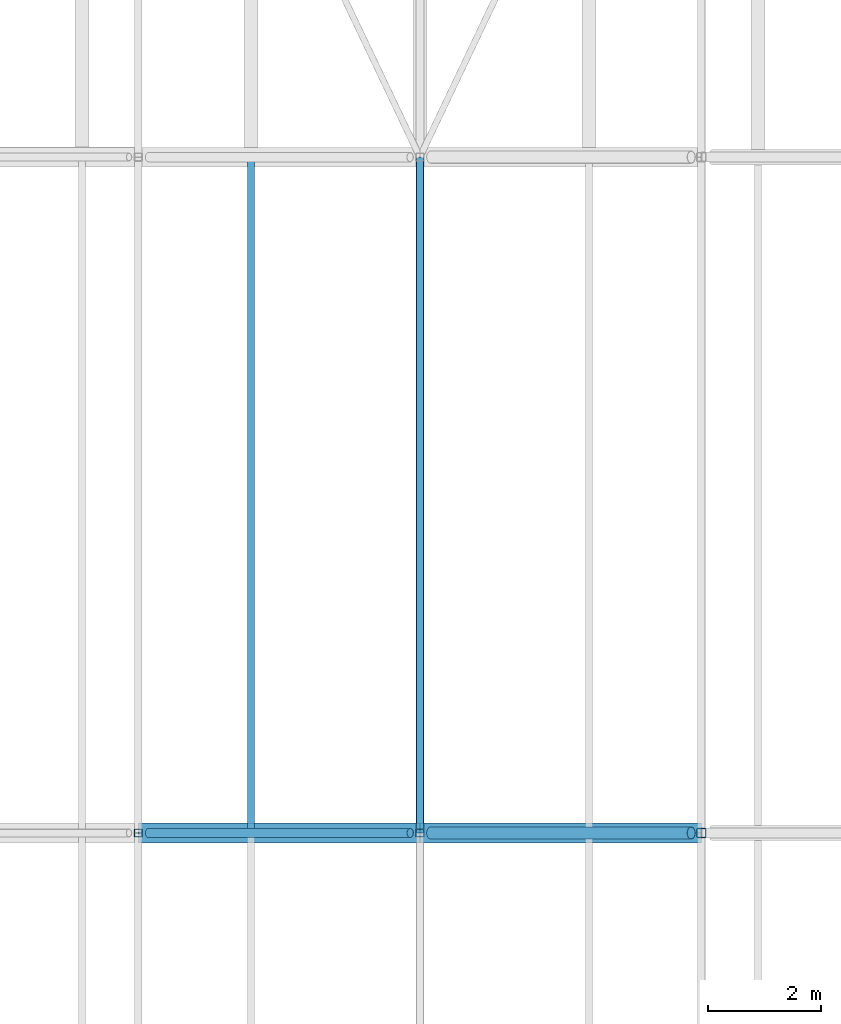
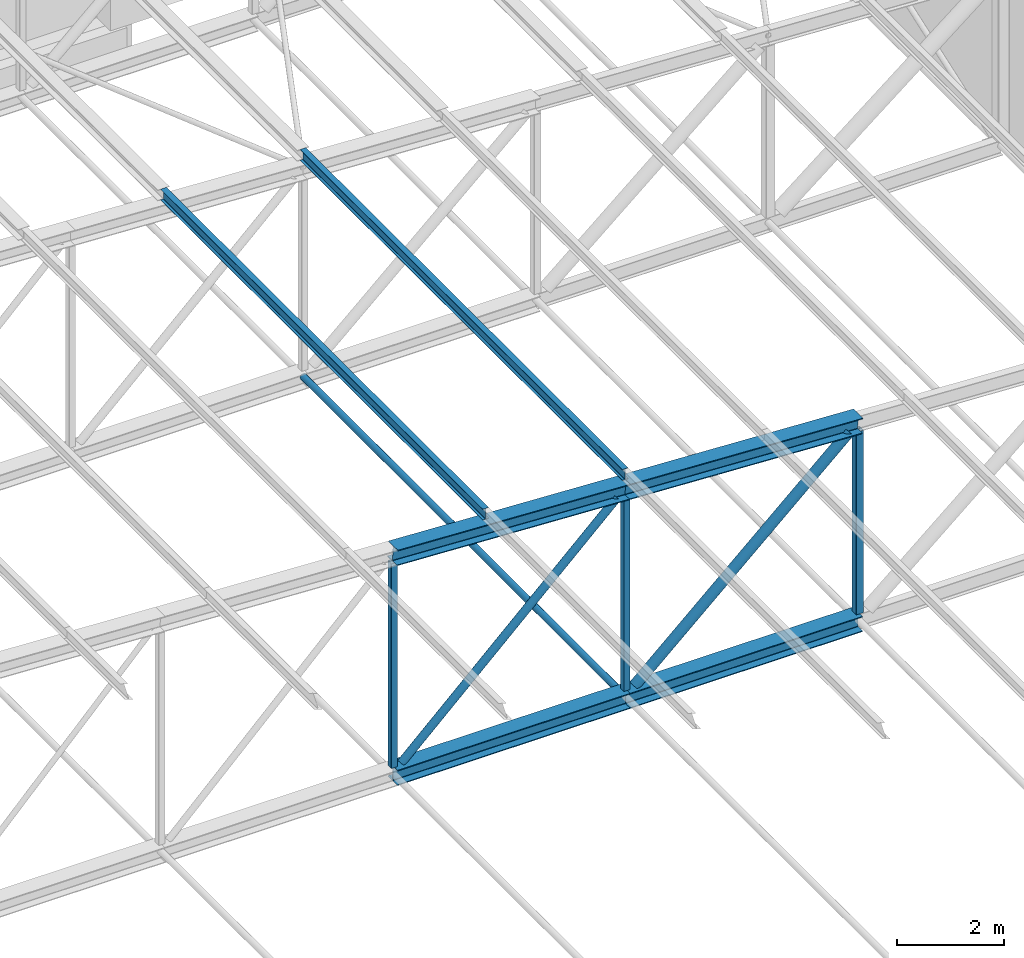
# One storey, part 123 of 156: 12 members.
"""IFC4 building model written with IfcOpenShell, lengths in metres."""

import ifcopenshell
import ifcopenshell.guid

model = None  # the IFC model being written
_history = None  # IfcOwnerHistory: only IFC2X3 demands one
_inside = {}  # id of a spatial element -> (the spatial element, [elements in it])
_under = {}  # id of a project, library or spatial element -> (it, [spatial elements below it])
_declared = {}  # id of a project -> (the project, [libraries it declares])
_typed = {}  # id of a type object -> (the type object, [elements of that type])
_made_of = {}  # id of a material, layer set ... -> (it, [elements and type objects made of it])


def new_model(schema):
    """Start an empty IFC model of exactly this schema.

    Asked for "IFC4X3", IfcOpenShell would pick the latest addendum, in which some entities
    have other attributes; the version numbers below select the first issue.
    IFC2X3 requires an IfcOwnerHistory on every rooted entity: one is made here for all.
    """
    global model, _history
    if schema == "IFC4X3":
        model = ifcopenshell.file(schema_version=(4, 3, 0, 0))
    else:
        model = ifcopenshell.file(schema=schema)
    _inside.clear()
    _under.clear()
    _declared.clear()
    _typed.clear()
    _made_of.clear()
    _history = None
    if model.schema == "IFC2X3":
        org = make("IfcOrganization", Name="unknown")
        user = make(
            "IfcPersonAndOrganization",
            ThePerson=make("IfcPerson", FamilyName="unknown"),
            TheOrganization=org,
        )
        app = make(
            "IfcApplication",
            ApplicationDeveloper=org,
            Version="unknown",
            ApplicationFullName="unknown",
            ApplicationIdentifier="unknown",
        )
        _history = make(
            "IfcOwnerHistory",
            OwningUser=user,
            OwningApplication=app,
            ChangeAction="ADDED",
            CreationDate=0,
        )
    return model


def make(cls, **values):
    """One entity of the class cls with the attributes given. An attribute that is None is left unset."""
    return model.create_entity(
        cls, **{name: value for name, value in values.items() if value is not None}
    )


def rooted(cls, **values):
    """An entity with a GlobalId (a new one), such as an element, a storey or a relation."""
    return make(cls, GlobalId=ifcopenshell.guid.new(), OwnerHistory=_history, **values)


def si_unit(unit_type, name, prefix=None):
    """IfcSIUnit, for example si_unit("LENGTHUNIT", "METRE", prefix="MILLI")."""
    return make("IfcSIUnit", UnitType=unit_type, Prefix=prefix, Name=name)


def assignment(units):
    """IfcUnitAssignment: the units of a project."""
    return None if units is None else make("IfcUnitAssignment", Units=units)


def point(xyz):
    """IfcCartesianPoint."""
    return None if xyz is None else make("IfcCartesianPoint", Coordinates=xyz)


def direction(xyz):
    """IfcDirection."""
    return None if xyz is None else make("IfcDirection", DirectionRatios=xyz)


def frame(location, z_axis=None, x_axis=None):
    """IfcAxis2Placement3D, a coordinate frame: its origin and axes. An axis left out is left unset."""
    return make(
        "IfcAxis2Placement3D",
        Location=point(location),
        Axis=direction(z_axis),
        RefDirection=direction(x_axis),
    )


def frame_2d(location, x_axis=None):
    """IfcAxis2Placement2D, a coordinate frame in the plane: its origin and x axis."""
    return make(
        "IfcAxis2Placement2D", Location=point(location), RefDirection=direction(x_axis)
    )


def origin():
    """The frame at (0, 0, 0) with its axes left unset."""
    return frame((0.0, 0.0, 0.0))


def origin_2d():
    """The frame at (0, 0) in the plane with its x axis left unset."""
    return frame_2d((0.0, 0.0))


def place(relative_to, where):
    """IfcLocalPlacement: puts the frame where relative to a parent placement (None: the world)."""
    return make(
        "IfcLocalPlacement", PlacementRelTo=relative_to, RelativePlacement=where
    )


def context(
    kind, dimensions, precision=None, world=None, true_north=None, identifier=None
):
    """IfcGeometricRepresentationContext, for example the 3D "Model" context."""
    return make(
        "IfcGeometricRepresentationContext",
        ContextIdentifier=identifier,
        ContextType=kind,
        CoordinateSpaceDimension=dimensions,
        Precision=precision,
        WorldCoordinateSystem=world,
        TrueNorth=true_north,
    )


def subcontext(parent, identifier, kind, view, scale=None):
    """IfcGeometricRepresentationSubContext, for example "Body" below "Model"."""
    return make(
        "IfcGeometricRepresentationSubContext",
        ContextIdentifier=identifier,
        ContextType=kind,
        ParentContext=parent,
        TargetScale=scale,
        TargetView=view,
    )


def project(units=None, contexts=None):
    """IfcProject with its units and contexts."""
    return rooted(
        "IfcProject",
        Name="project",
        RepresentationContexts=contexts,
        UnitsInContext=assignment(units),
    )


def spatial(cls, under=None, at=None, **own):
    """A site, building, storey or space (cls), placed at a placement, below another one or the project."""
    s = rooted(cls, ObjectPlacement=at, **own)
    if under is not None:
        _under.setdefault(under.id(), (under, []))[1].append(s)
    return s


def profile(cls, at=None, kind="AREA", **sizes):
    """A parametric profile (cls). Its sizes go by their IFC names, for example OverallWidth=200.0."""
    return make(cls, ProfileType=kind, Position=at, **sizes)


def hollow_rectangle(**sizes):
    """IfcRectangleHollowProfileDef."""
    return profile("IfcRectangleHollowProfileDef", **sizes)


def hollow_circle(**sizes):
    """IfcCircleHollowProfileDef."""
    return profile("IfcCircleHollowProfileDef", **sizes)


def i_section(**sizes):
    """IfcIShapeProfileDef."""
    return profile("IfcIShapeProfileDef", **sizes)


def extrude(swept, where, along, depth):
    """IfcExtrudedAreaSolid: the profile swept, set in the frame where, extruded along a direction by depth."""
    return make(
        "IfcExtrudedAreaSolid",
        SweptArea=swept,
        Position=where,
        ExtrudedDirection=direction(along),
        Depth=depth,
    )


def shape(context_of_items, identifier, shape_type, items):
    """IfcShapeRepresentation: the items that make up one representation, for example the "Body"."""
    return make(
        "IfcShapeRepresentation",
        ContextOfItems=context_of_items,
        RepresentationIdentifier=identifier,
        RepresentationType=shape_type,
        Items=items,
    )


def material(Name=None, Category=None):
    """IfcMaterial."""
    return make("IfcMaterial", Name=Name, Category=Category)


def material_profile(
    of_material, cross_section, Name=None, Category=None, Priority=None
):
    """IfcMaterialProfile: a cross section and its material."""
    return make(
        "IfcMaterialProfile",
        Name=Name,
        Material=of_material,
        Profile=cross_section,
        Priority=Priority,
        Category=Category,
    )


def profile_set(profiles, Name=None, composite=None):
    """IfcMaterialProfileSet."""
    return make(
        "IfcMaterialProfileSet",
        Name=Name,
        MaterialProfiles=profiles,
        CompositeProfile=composite,
    )


def made_of(thing, what):
    """Note that an element or type object is made of a material, layer set ...; save() writes the relation."""
    if what is not None:
        _made_of.setdefault(what.id(), (what, []))[1].append(thing)
    return thing


def type_object(cls, material=None, **own):
    """A type object (cls), such as IfcWallType, which elements share."""
    return made_of(rooted(cls, **own), material)


def element(
    cls,
    number,
    at=None,
    inside=None,
    cuts=None,
    type_object=None,
    material=None,
    context=None,
    identifier="Body",
    shape_type=None,
    held_by="IfcProductDefinitionShape",
    body=None,
    shapes=None,
    **own,
):
    """One element of the class cls, such as IfcWall. Its Tag is "e" and its number.

    at: its placement. inside: the storey or other place that contains it. cuts: it is an
    opening in that element (IfcRelVoidsElement). A single representation is given by context,
    identifier, shape_type and body (its items); several are given by shapes. held_by: the class
    of the entity that holds the representations. save() writes the other relations.
    """
    e = rooted(cls, Tag="e%d" % number, ObjectPlacement=at, **own)
    if body is not None:
        shapes = [shape(context, identifier, shape_type, body)]
    if shapes is not None:
        e.Representation = make(held_by, Representations=shapes)
    if inside is not None:
        _inside.setdefault(inside.id(), (inside, []))[1].append(e)
    if cuts is not None:
        rooted(
            "IfcRelVoidsElement", RelatingBuildingElement=cuts, RelatedOpeningElement=e
        )
    if type_object is not None:
        _typed.setdefault(type_object.id(), (type_object, []))[1].append(e)
    return made_of(e, material)


def aggregate(whole, parts):
    """IfcRelAggregates: a whole, such as a stair, and the parts it consists of."""
    return rooted("IfcRelAggregates", RelatingObject=whole, RelatedObjects=parts)


def save(model, path):
    """Write the relations noted so far, then the file.

    IfcRelAggregates (storeys below a building ...), IfcRelContainedInSpatialStructure (elements
    in a storey), IfcRelDefinesByType, IfcRelAssociatesMaterial and IfcRelDeclares: one each for
    every whole, place, type object, material and project.
    """
    for whole, parts in _under.values():
        aggregate(whole, parts)
    for where, things in _inside.values():
        rooted(
            "IfcRelContainedInSpatialStructure",
            RelatedElements=things,
            RelatingStructure=where,
        )
    for kind, things in _typed.values():
        rooted("IfcRelDefinesByType", RelatedObjects=things, RelatingType=kind)
    for what, things in _made_of.values():
        rooted("IfcRelAssociatesMaterial", RelatedObjects=things, RelatingMaterial=what)
    for by, libraries in _declared.values():
        rooted("IfcRelDeclares", RelatingContext=by, RelatedDefinitions=libraries)
    model.write(path)


model = new_model("IFC4")

# Units and contexts
model_context = context("Model", 3, precision=1e-05, world=origin(), true_north=direction((0.0, 1.0)))
body_context = subcontext(model_context, "Body", "Model", "MODEL_VIEW")
ifc_project = project(units=[si_unit("LENGTHUNIT", "METRE"), si_unit("AREAUNIT", "SQUARE_METRE"), si_unit("VOLUMEUNIT", "CUBIC_METRE"), si_unit("PLANEANGLEUNIT", "RADIAN"), si_unit("MASSUNIT", "GRAM", prefix="KILO")], contexts=[model_context])

# Site, building, storey
site_placement = place(None, origin())
site = spatial("IfcSite", under=ifc_project, at=site_placement, CompositionType="ELEMENT")
building_placement = place(site_placement, origin())
building = spatial("IfcBuilding", under=site, at=building_placement, Name="Lilac Gate Convention Centre", CompositionType="ELEMENT")
storey_placement = place(building_placement, frame((0.0, 0.0, 17.0)))
storey = spatial("IfcBuildingStorey", under=building, at=storey_placement, Name="L03", CompositionType="ELEMENT", Elevation=17.0)

# Members
ifc_material = material(Name="Steel Q355B", Category="steel")
ifc_material_profile_1 = material_profile(ifc_material, hollow_circle(Radius=0.06982421875, WallThickness=0.0048828125, at=origin_2d()), Name="CHS139.7x5")
ifc_profile_set_1 = profile_set([ifc_material_profile_1], Name="Steel Q355B")
member_type_1 = type_object("IfcMemberType", Name="Bottom chord tie CHS139.7x5", PredefinedType="STRUT", material=ifc_profile_set_1)
member_1_placement = place(storey_placement, frame((75.0, 198.006103515625, 0.0), z_axis=(0.0, 1.0, 0.0), x_axis=(-1.0, 0.0, 0.0)))
element("IfcMember", 1, at=member_1_placement, inside=storey, type_object=member_type_1, Name="ST1 tie bay 15 node 10", PredefinedType="STRUT", context=body_context, shape_type="SweptSolid", body=[
    extrude(hollow_circle(Radius=0.06982421875, WallThickness=0.0048828125, at=origin_2d()), origin(), (0.0, 0.0, 1.0), 11.98779296875),
])
ifc_material_profile_2 = material_profile(ifc_material, i_section(OverallWidth=0.125, OverallDepth=0.25, WebThickness=0.006103515625, FlangeThickness=0.009033203125, FilletRadius=0.008056640625, at=origin_2d()), Name="HN250x125x6x9")
ifc_profile_set_2 = profile_set([ifc_material_profile_2], Name="Steel Q355B")
member_type_2 = type_object("IfcMemberType", Name="Roof purlin HN250x125x6x9", PredefinedType="PURLIN", material=ifc_profile_set_2)
for number, where, z_axis, x_axis, name in (
    (2, (72.0, 198.0, 5.2001953125), (0.0, 1.0, 0.0), (-1.0, 0.0, 0.0), "PU2 purlin bay 15 line 15"),
    (3, (75.0, 198.0, 5.05029296875), (0.0, 1.0, 0.0), (-1.0, 0.0, 0.0), "PU2 purlin bay 15 line 16"),
):
    element("IfcMember", number, at=place(storey_placement, frame(where, z_axis=z_axis, x_axis=x_axis)), inside=storey, type_object=member_type_2, Name=name, PredefinedType="PURLIN", context=body_context, shape_type="SweptSolid", body=[
        extrude(i_section(OverallWidth=0.125, OverallDepth=0.25, WebThickness=0.006103515625, FlangeThickness=0.009033203125, FilletRadius=0.008056640625, at=origin_2d()), origin(), (0.0, 0.0, 1.0), 12.0),
    ])
ifc_material_profile_3 = material_profile(ifc_material, i_section(OverallWidth=0.35009765625, OverallDepth=0.35009765625, WebThickness=0.011962890625, FlangeThickness=0.01904296875, FilletRadius=0.012939453125, at=origin_2d()), Name="HW350x350x12x19")
ifc_profile_set_3 = profile_set([ifc_material_profile_3], Name="Steel Q355B")
member_type_3 = type_object("IfcMemberType", Name="Truss bottom chord HW350x350x12x19", PredefinedType="CHORD", material=ifc_profile_set_3)
for number, where, z_axis, x_axis, name in (
    (4, (70.0, 198.0, 0.0), (1.0, 0.0, 0.0), (0.0, 1.0, 0.0), "TB2 truss 15 bottom chord 9"),
    (5, (75.0, 198.0, 0.0), (1.0, 0.0, 0.0), (0.0, 1.0, 0.0), "TB2 truss 15 bottom chord 10"),
):
    element("IfcMember", number, at=place(storey_placement, frame(where, z_axis=z_axis, x_axis=x_axis)), inside=storey, type_object=member_type_3, Name=name, PredefinedType="CHORD", context=body_context, shape_type="SweptSolid", body=[
        extrude(i_section(OverallWidth=0.35009765625, OverallDepth=0.35009765625, WebThickness=0.011962890625, FlangeThickness=0.01904296875, FilletRadius=0.012939453125, at=origin_2d()), origin(), (0.0, 0.0, 1.0), 5.0),
    ])
ifc_material_profile_4 = material_profile(ifc_material, hollow_circle(Radius=0.084228515625, WallThickness=0.006103515625, at=origin_2d()), Name="CHS168.3x6")
ifc_profile_set_4 = profile_set([ifc_material_profile_4], Name="Steel Q355B")
member_type_4 = type_object("IfcMemberType", Name="Truss diagonal CHS168.3x6", PredefinedType="BRACE", material=ifc_profile_set_4)
member_2_placement = place(storey_placement, frame((74.8271484375, 198.0, 4.585693359375), z_axis=(-0.725020373275, 0.0, -0.688727419475), x_axis=(0.0, -1.0, 0.0)))
element("IfcMember", 6, at=member_2_placement, inside=storey, type_object=member_type_4, Name="TW4 truss 15 diagonal 9", PredefinedType="BRACE", context=body_context, shape_type="SweptSolid", body=[
    extrude(hollow_circle(Radius=0.084228515625, WallThickness=0.006103515625, at=origin_2d()), origin(), (0.0, 0.0, 1.0), 6.404052734375),
])
ifc_material_profile_5 = material_profile(ifc_material, hollow_circle(Radius=0.109619140625, WallThickness=0.008056640625, at=origin_2d()), Name="CHS219.1x8")
ifc_profile_set_5 = profile_set([ifc_material_profile_5], Name="Steel Q355B")
member_type_5 = type_object("IfcMemberType", Name="Truss diagonal CHS219.1x8", PredefinedType="BRACE", material=ifc_profile_set_5)
member_3_placement = place(storey_placement, frame((79.8173828125, 198.0, 4.335693359375), z_axis=(-0.743301953498, 0.0, -0.668956056797), x_axis=(0.0, -1.0, 0.0)))
element("IfcMember", 7, at=member_3_placement, inside=storey, type_object=member_type_5, Name="TW3 truss 15 diagonal 10", PredefinedType="BRACE", context=body_context, shape_type="SweptSolid", body=[
    extrude(hollow_circle(Radius=0.109619140625, WallThickness=0.008056640625, at=origin_2d()), origin(), (0.0, 0.0, 1.0), 6.2197265625),
])
ifc_material_profile_6 = material_profile(ifc_material, i_section(OverallWidth=0.35009765625, OverallDepth=0.35009765625, WebThickness=0.011962890625, FlangeThickness=0.01904296875, FilletRadius=0.012939453125, at=origin_2d()), Name="HW350x350x12x19")
ifc_profile_set_6 = profile_set([ifc_material_profile_6], Name="Steel Q355B")
member_type_6 = type_object("IfcMemberType", Name="Truss top chord HW350x350x12x19", PredefinedType="CHORD", material=ifc_profile_set_6)
for number, where, z_axis, x_axis, name in (
    (8, (70.0, 198.0, 5.0), (0.998752338878, 0.0, -0.049937616944), (0.0, 1.0, 0.0), "TT2 truss 15 top chord 9"),
    (9, (75.0, 198.0, 4.75), (0.998752338878, 0.0, -0.049937616944), (0.0, 1.0, 0.0), "TT2 truss 15 top chord 10"),
):
    element("IfcMember", number, at=place(storey_placement, frame(where, z_axis=z_axis, x_axis=x_axis)), inside=storey, type_object=member_type_6, Name=name, PredefinedType="CHORD", context=body_context, shape_type="SweptSolid", body=[
        extrude(i_section(OverallWidth=0.35009765625, OverallDepth=0.35009765625, WebThickness=0.011962890625, FlangeThickness=0.01904296875, FilletRadius=0.012939453125, at=origin_2d()), origin(), (0.0, 0.0, 1.0), 5.00634765625),
    ])
ifc_material_profile_7 = material_profile(ifc_material, hollow_rectangle(XDim=0.139892578125, YDim=0.139892578125, WallThickness=0.0048828125, InnerFilletRadius=0.0048828125, OuterFilletRadius=0.010009765625, at=origin_2d()), Name="SHS140x140x5")
ifc_profile_set_7 = profile_set([ifc_material_profile_7], Name="Steel Q355B")
member_type_7 = type_object("IfcMemberType", Name="Truss vertical SHS140x140x5", PredefinedType="STRUT", material=ifc_profile_set_7)
member_4_placement = place(storey_placement, frame((70.0, 198.0, 0.175048828125), z_axis=(0.0, 0.0, 1.0), x_axis=(1.0, 0.0, 0.0)))
element("IfcMember", 10, at=member_4_placement, inside=storey, type_object=member_type_7, Name="TV4 truss 15 vertical 9", PredefinedType="STRUT", context=body_context, shape_type="SweptSolid", body=[
    extrude(hollow_rectangle(XDim=0.139892578125, YDim=0.139892578125, WallThickness=0.0048828125, InnerFilletRadius=0.0048828125, OuterFilletRadius=0.010009765625, at=origin_2d()), origin(), (0.0, 0.0, 1.0), 4.649658203125),
])
member_5_placement = place(storey_placement, frame((75.0, 198.0, 0.175048828125), z_axis=(0.0, 0.0, 1.0), x_axis=(1.0, 0.0, 0.0)))
element("IfcMember", 11, at=member_5_placement, inside=storey, type_object=member_type_7, Name="TV4 truss 15 vertical 10", PredefinedType="STRUT", context=body_context, shape_type="SweptSolid", body=[
    extrude(hollow_rectangle(XDim=0.139892578125, YDim=0.139892578125, WallThickness=0.0048828125, InnerFilletRadius=0.0048828125, OuterFilletRadius=0.010009765625, at=origin_2d()), origin(), (0.0, 0.0, 1.0), 4.399658203125),
])
ifc_material_profile_8 = material_profile(ifc_material, hollow_rectangle(XDim=0.159912109375, YDim=0.159912109375, WallThickness=0.006103515625, InnerFilletRadius=0.006103515625, OuterFilletRadius=0.011962890625, at=origin_2d()), Name="SHS160x160x6")
ifc_profile_set_8 = profile_set([ifc_material_profile_8], Name="Steel Q355B")
member_type_8 = type_object("IfcMemberType", Name="Truss vertical SHS160x160x6", PredefinedType="STRUT", material=ifc_profile_set_8)
member_6_placement = place(storey_placement, frame((80.0, 198.0, 0.175048828125), z_axis=(0.0, 0.0, 1.0), x_axis=(1.0, 0.0, 0.0)))
element("IfcMember", 12, at=member_6_placement, inside=storey, type_object=member_type_8, Name="TV3 truss 15 vertical 11", PredefinedType="STRUT", context=body_context, shape_type="SweptSolid", body=[
    extrude(hollow_rectangle(XDim=0.159912109375, YDim=0.159912109375, WallThickness=0.006103515625, InnerFilletRadius=0.006103515625, OuterFilletRadius=0.011962890625, at=origin_2d()), origin(), (0.0, 0.0, 1.0), 4.149658203125),
])

save(model, "model.ifc")
